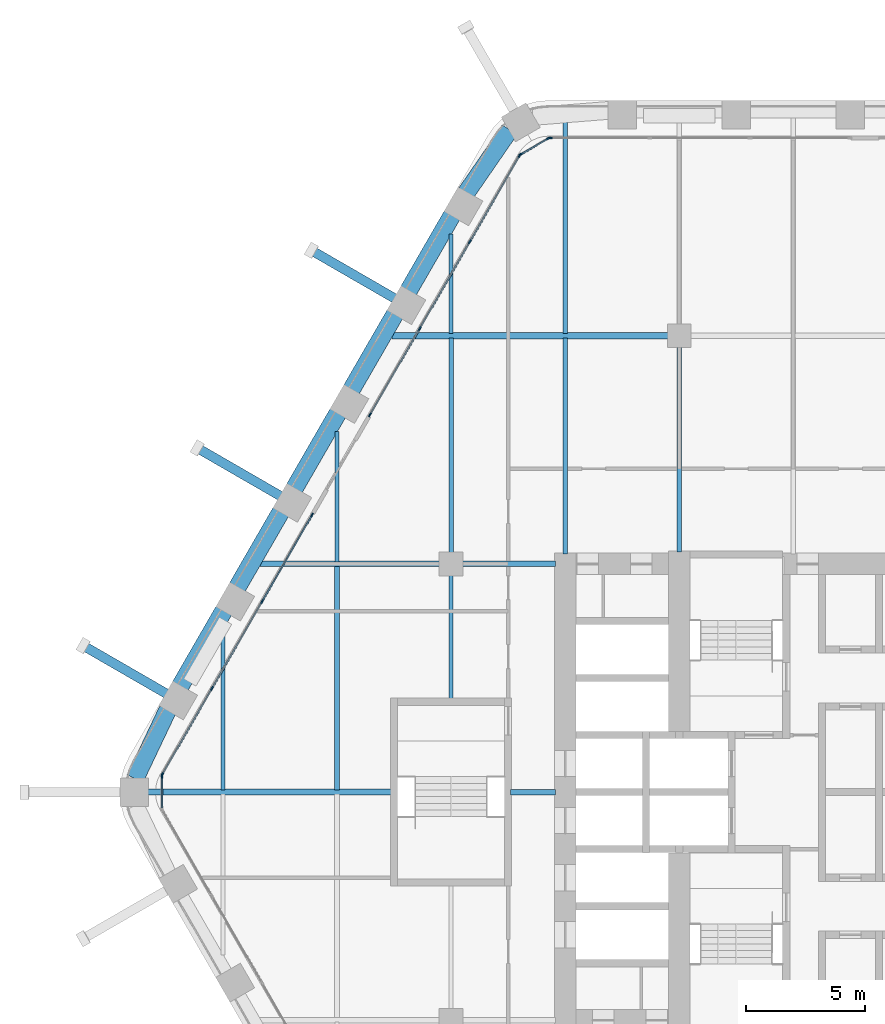
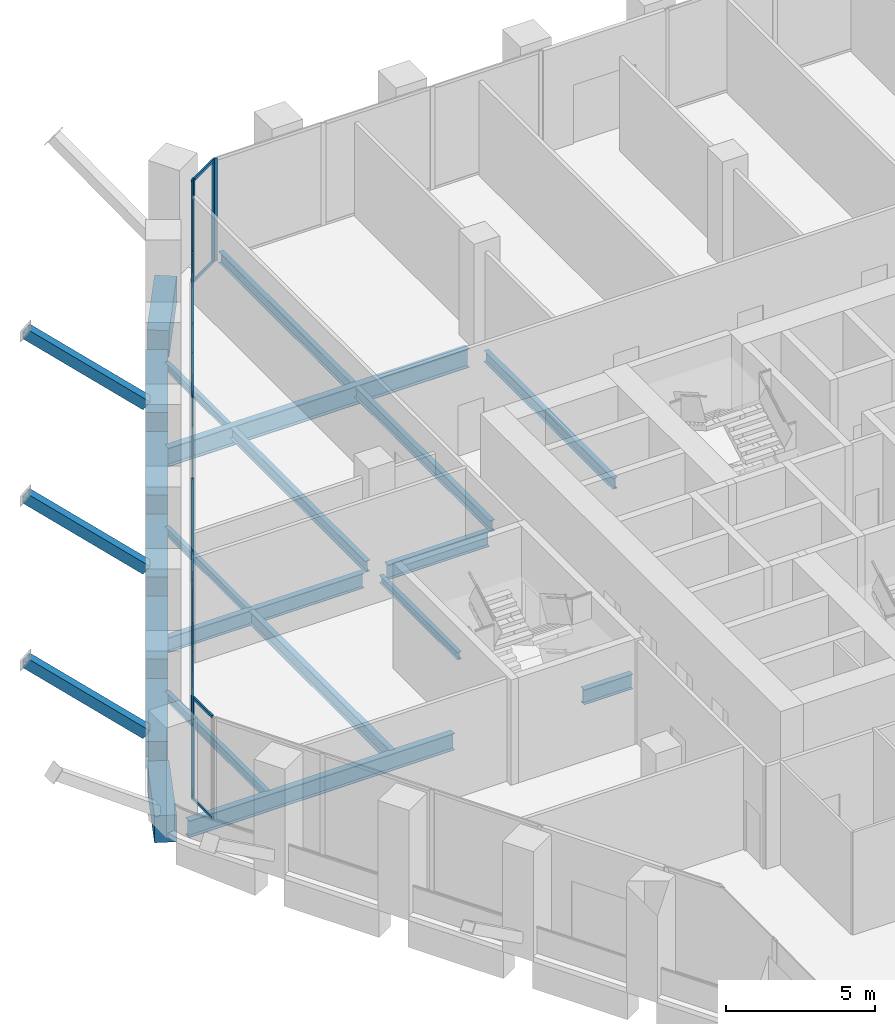
# One storey, part 7 of 27: 31 members, 21 beams, 5 elements without a shape of their own.
"""IFC4 building model written with IfcOpenShell, lengths in metres."""

from ifc_helpers import new_model, si_unit, direction, frame, origin, origin_2d, place, context, subcontext, project, spatial, rectangle, hollow_rectangle, i_section, extrude, material, material_profile, profile_set, type_object, element, aggregate, save


model = new_model("IFC4")

# Units and contexts
model_context = context("Model", 3, precision=1e-05, world=origin(), true_north=direction((0.0, 1.0)))
body_context = subcontext(model_context, "Body", "Model", "MODEL_VIEW")
ifc_project = project(units=[si_unit("LENGTHUNIT", "METRE"), si_unit("AREAUNIT", "SQUARE_METRE"), si_unit("VOLUMEUNIT", "CUBIC_METRE"), si_unit("PLANEANGLEUNIT", "RADIAN"), si_unit("MASSUNIT", "GRAM", prefix="KILO")], contexts=[model_context])

# Site, building, storey
site_placement = place(None, origin())
site = spatial("IfcSite", under=ifc_project, at=site_placement, CompositionType="ELEMENT")
building_placement = place(site_placement, origin())
building = spatial("IfcBuilding", under=site, at=building_placement, Name="Kolab Exchange Tower", CompositionType="ELEMENT")
storey_placement = place(building_placement, frame((0.0, 0.0, 118.39990234375)))
storey = spatial("IfcBuildingStorey", under=building, at=storey_placement, Name="L23", CompositionType="ELEMENT", Elevation=118.39990234375)

# Beams
ifc_material_1 = material(Name="Steel S355", Category="steel")
ifc_material_profile_1 = material_profile(ifc_material_1, i_section(OverallWidth=0.1650390625, OverallDepth=0.31005859375, WebThickness=0.005859375, FlangeThickness=0.009765625, at=origin_2d()), Name="W310X39")
ifc_profile_set_1 = profile_set([ifc_material_profile_1], Name="Steel S355")
beam_type_1 = type_object("IfcBeamType", Name="FLOOR BEAM W310X39", PredefinedType="BEAM", material=ifc_profile_set_1)
beam_1_placement = place(storey_placement, frame((-24.0, 9.674072265625, -0.35498046875), z_axis=(0.0, 1.0, 0.0), x_axis=(-1.0, 0.0, 0.0)))
element("IfcBeam", 1, at=beam_1_placement, inside=storey, type_object=beam_type_1, Name="beam/L23/fr/005", PredefinedType="BEAM", context=body_context, shape_type="SweptSolid", body=[
    extrude(i_section(OverallWidth=0.1650390625, OverallDepth=0.31005859375, WebThickness=0.005859375, FlangeThickness=0.009765625, at=origin_2d()), origin(), (0.0, 0.0, 1.0), 5.49365234375),
])
beam_2_placement = place(storey_placement, frame((-19.199951171875, 3.909912109375, -0.35498046875), z_axis=(0.0, 1.0, 0.0), x_axis=(-1.0, 0.0, 0.0)))
element("IfcBeam", 2, at=beam_2_placement, inside=storey, type_object=beam_type_1, Name="beam/L23/fr/009", PredefinedType="BEAM", context=body_context, shape_type="SweptSolid", body=[
    extrude(i_section(OverallWidth=0.1650390625, OverallDepth=0.31005859375, WebThickness=0.005859375, FlangeThickness=0.009765625, at=origin_2d()), origin(), (0.0, 0.0, 1.0), 5.22998046875),
])
beam_3_placement = place(storey_placement, frame((-19.199951171875, 19.29345703125, -0.35498046875), z_axis=(0.0, 1.0, 0.0), x_axis=(-1.0, 0.0, 0.0)))
element("IfcBeam", 3, at=beam_3_placement, inside=storey, type_object=beam_type_1, Name="beam/L23/fr/011", PredefinedType="BEAM", context=body_context, shape_type="SweptSolid", body=[
    extrude(i_section(OverallWidth=0.1650390625, OverallDepth=0.31005859375, WebThickness=0.005859375, FlangeThickness=0.009765625, at=origin_2d()), origin(), (0.0, 0.0, 1.0), 4.18798828125),
])
ifc_material_profile_2 = material_profile(ifc_material_1, i_section(OverallWidth=0.1708984375, OverallDepth=0.35498046875, WebThickness=0.007080078125, FlangeThickness=0.01171875, at=origin_2d()), Name="W360X51")
ifc_profile_set_2 = profile_set([ifc_material_profile_2], Name="Steel S355")
beam_type_2 = type_object("IfcBeamType", Name="FLOOR BEAM W360X51", PredefinedType="BEAM", material=ifc_profile_set_2)
beam_4_placement = place(storey_placement, frame((-28.800048828125, 0.0869140625, -0.37744140625), z_axis=(0.0, 1.0, 0.0), x_axis=(-1.0, 0.0, 0.0)))
element("IfcBeam", 4, at=beam_4_placement, inside=storey, type_object=beam_type_2, Name="beam/L23/fr/001", PredefinedType="BEAM", context=body_context, shape_type="SweptSolid", body=[
    extrude(i_section(OverallWidth=0.1708984375, OverallDepth=0.35498046875, WebThickness=0.007080078125, FlangeThickness=0.01171875, at=origin_2d()), origin(), (0.0, 0.0, 1.0), 6.766845703125),
])
ifc_material_profile_3 = material_profile(ifc_material_1, i_section(OverallWidth=0.18994140625, OverallDepth=0.45703125, WebThickness=0.009033203125, FlangeThickness=0.014404296875, at=origin_2d()), Name="W460X74")
ifc_profile_set_3 = profile_set([ifc_material_profile_3], Name="Steel S355")
beam_type_3 = type_object("IfcBeamType", Name="FLOOR BEAM W460X74", PredefinedType="BEAM", material=ifc_profile_set_3)
beam_5_placement = place(storey_placement, frame((-19.199951171875, 10.06005859375, -0.428466796875), z_axis=(0.0, 1.0, 0.0), x_axis=(-1.0, 0.0, 0.0)))
element("IfcBeam", 5, at=beam_5_placement, inside=storey, type_object=beam_type_3, Name="beam/L23/fr/010", PredefinedType="BEAM", context=body_context, shape_type="SweptSolid", body=[
    extrude(i_section(OverallWidth=0.18994140625, OverallDepth=0.45703125, WebThickness=0.009033203125, FlangeThickness=0.014404296875, at=origin_2d()), origin(), (0.0, 0.0, 1.0), 9.04638671875),
])
beam_6_placement = place(storey_placement, frame((-14.39990234375, 10.010009765625, -0.428466796875), z_axis=(0.0, 1.0, 0.0), x_axis=(-1.0, 0.0, 0.0)))
element("IfcBeam", 6, at=beam_6_placement, inside=storey, type_object=beam_type_3, Name="beam/L23/fr/014", PredefinedType="BEAM", context=body_context, shape_type="SweptSolid", body=[
    extrude(i_section(OverallWidth=0.18994140625, OverallDepth=0.45703125, WebThickness=0.009033203125, FlangeThickness=0.014404296875, at=origin_2d()), origin(), (0.0, 0.0, 1.0), 9.096435546875),
])
beam_7_placement = place(storey_placement, frame((-14.39990234375, 19.29345703125, -0.428466796875), z_axis=(0.0, 1.0, 0.0), x_axis=(-1.0, 0.0, 0.0)))
element("IfcBeam", 7, at=beam_7_placement, inside=storey, type_object=beam_type_3, Name="beam/L23/fr/015", PredefinedType="BEAM", context=body_context, shape_type="SweptSolid", body=[
    extrude(i_section(OverallWidth=0.18994140625, OverallDepth=0.45703125, WebThickness=0.009033203125, FlangeThickness=0.014404296875, at=origin_2d()), origin(), (0.0, 0.0, 1.0), 8.901123046875),
])
beam_8_placement = place(storey_placement, frame((-9.60009765625, 10.110107421875, -0.428466796875), z_axis=(0.0, 1.0, 0.0), x_axis=(-1.0, 0.0, 0.0)))
element("IfcBeam", 8, at=beam_8_placement, inside=storey, type_object=beam_type_3, Name="beam/L23/fr/018", PredefinedType="BEAM", context=body_context, shape_type="SweptSolid", body=[
    extrude(i_section(OverallWidth=0.18994140625, OverallDepth=0.45703125, WebThickness=0.009033203125, FlangeThickness=0.014404296875, at=origin_2d()), origin(), (0.0, 0.0, 1.0), 8.6298828125),
])
ifc_material_profile_4 = material_profile(ifc_material_1, i_section(OverallWidth=0.208984375, OverallDepth=0.532958984375, WebThickness=0.01025390625, FlangeThickness=0.015625, at=origin_2d()), Name="W530X92")
ifc_profile_set_4 = profile_set([ifc_material_profile_4], Name="Steel S355")
beam_type_4 = type_object("IfcBeamType", Name="FLOOR BEAM W530X92", PredefinedType="BEAM", material=ifc_profile_set_4)
beam_9_placement = place(storey_placement, frame((-24.0, 0.0869140625, -0.46630859375), z_axis=(0.0, 1.0, 0.0), x_axis=(-1.0, 0.0, 0.0)))
element("IfcBeam", 9, at=beam_9_placement, inside=storey, type_object=beam_type_4, Name="beam/L23/fr/004", PredefinedType="BEAM", context=body_context, shape_type="SweptSolid", body=[
    extrude(i_section(OverallWidth=0.208984375, OverallDepth=0.532958984375, WebThickness=0.01025390625, FlangeThickness=0.015625, at=origin_2d()), origin(), (0.0, 0.0, 1.0), 9.43896484375),
])
ifc_material_profile_5 = material_profile(ifc_material_1, i_section(OverallWidth=0.22802734375, OverallDepth=0.60791015625, WebThickness=0.01123046875, FlangeThickness=0.017333984375, at=origin_2d()), Name="W610X113")
ifc_profile_set_5 = profile_set([ifc_material_profile_5], Name="Steel S355")
beam_type_5 = type_object("IfcBeamType", Name="FLOOR GIRDER W610X113", PredefinedType="BEAM", material=ifc_profile_set_5)
beam_10_placement = place(storey_placement, frame((-27.2314453125, 9.60009765625, -0.50390625), z_axis=(1.0, 0.0, 0.0), x_axis=(0.0, 1.0, 0.0)))
element("IfcBeam", 10, at=beam_10_placement, inside=storey, type_object=beam_type_5, Name="beam/L23/gd/002", PredefinedType="BEAM", context=body_context, shape_type="SweptSolid", body=[
    extrude(i_section(OverallWidth=0.22802734375, OverallDepth=0.60791015625, WebThickness=0.01123046875, FlangeThickness=0.017333984375, at=origin_2d()), origin(), (0.0, 0.0, 1.0), 7.571533203125),
])
beam_11_placement = place(storey_placement, frame((-18.739990234375, 9.60009765625, -0.50390625), z_axis=(1.0, 0.0, 0.0), x_axis=(0.0, 1.0, 0.0)))
element("IfcBeam", 11, at=beam_11_placement, inside=storey, type_object=beam_type_5, Name="beam/L23/gd/006", PredefinedType="BEAM", context=body_context, shape_type="SweptSolid", body=[
    extrude(i_section(OverallWidth=0.22802734375, OverallDepth=0.60791015625, WebThickness=0.01123046875, FlangeThickness=0.017333984375, at=origin_2d()), origin(), (0.0, 0.0, 1.0), 3.929931640625),
])
beam_12_placement = place(storey_placement, frame((-16.68994140625, 0.0, -0.50390625), z_axis=(1.0, 0.0, 0.0), x_axis=(0.0, 1.0, 0.0)))
element("IfcBeam", 12, at=beam_12_placement, inside=storey, type_object=beam_type_5, Name="beam/L23/gd/007", PredefinedType="BEAM", context=body_context, shape_type="SweptSolid", body=[
    extrude(i_section(OverallWidth=0.22802734375, OverallDepth=0.60791015625, WebThickness=0.01123046875, FlangeThickness=0.017333984375, at=origin_2d()), origin(), (0.0, 0.0, 1.0), 1.8798828125),
])
ifc_material_profile_6 = material_profile(ifc_material_1, i_section(OverallWidth=0.25390625, OverallDepth=0.68408203125, WebThickness=0.012451171875, FlangeThickness=0.018798828125, at=origin_2d()), Name="W690X140")
ifc_profile_set_6 = profile_set([ifc_material_profile_6], Name="Steel S355")
beam_type_6 = type_object("IfcBeamType", Name="FLOOR GIRDER W690X140", PredefinedType="BEAM", material=ifc_profile_set_6)
beam_13_placement = place(storey_placement, frame((-31.975830078125, 0.0, -0.5419921875), z_axis=(1.0, 0.0, 0.0), x_axis=(0.0, 1.0, 0.0)))
element("IfcBeam", 13, at=beam_13_placement, inside=storey, type_object=beam_type_6, Name="beam/L23/gd/000", PredefinedType="BEAM", context=body_context, shape_type="SweptSolid", body=[
    extrude(i_section(OverallWidth=0.25390625, OverallDepth=0.68408203125, WebThickness=0.012451171875, FlangeThickness=0.018798828125, at=origin_2d()), origin(), (0.0, 0.0, 1.0), 10.265869140625),
])
ifc_material_profile_7 = material_profile(ifc_material_1, i_section(OverallWidth=0.26708984375, OverallDepth=0.761962890625, WebThickness=0.014404296875, FlangeThickness=0.021484375, at=origin_2d()), Name="W760X173")
ifc_profile_set_7 = profile_set([ifc_material_profile_7], Name="Steel S355")
beam_type_7 = type_object("IfcBeamType", Name="FLOOR GIRDER W760X173", PredefinedType="BEAM", material=ifc_profile_set_7)
beam_14_placement = place(storey_placement, frame((-21.688720703125, 19.199951171875, -0.580810546875), z_axis=(1.0, 0.0, 0.0), x_axis=(0.0, 1.0, 0.0)))
element("IfcBeam", 14, at=beam_14_placement, inside=storey, type_object=beam_type_7, Name="beam/L23/gd/004", PredefinedType="BEAM", context=body_context, shape_type="SweptSolid", body=[
    extrude(i_section(OverallWidth=0.26708984375, OverallDepth=0.761962890625, WebThickness=0.014404296875, FlangeThickness=0.021484375, at=origin_2d()), origin(), (0.0, 0.0, 1.0), 11.628662109375),
])

# Members
ifc_material_profile_8 = material_profile(ifc_material_1, hollow_rectangle(XDim=0.39990234375, YDim=0.39990234375, WallThickness=0.02001953125, at=origin_2d()), Name="HSS400X400X20")
ifc_profile_set_8 = profile_set([ifc_material_profile_8], Name="Steel S355")
member_type_1 = type_object("IfcMemberType", Name="LEDGE STRUT HSS400X400X20", PredefinedType="STRUT", material=ifc_profile_set_8)
member_1_placement = place(storey_placement, frame((-31.165283203125, 4.136962890625, 0.60009765625), z_axis=(-0.702055669831, 0.40533170136, 0.585511783255), x_axis=(-0.499999695987, -0.866025579307, 0.0)))
element("IfcMember", 15, at=member_1_placement, inside=storey, type_object=member_type_1, Name="mem/L23/ledge/strut-5", PredefinedType="STRUT", context=body_context, shape_type="SweptSolid", body=[
    extrude(hollow_rectangle(XDim=0.39990234375, YDim=0.39990234375, WallThickness=0.02001953125, at=origin_2d()), origin(), (0.0, 0.0, 1.0), 4.983642578125),
])
member_2_placement = place(storey_placement, frame((-26.365478515625, 12.45068359375, 0.60009765625), z_axis=(-0.702030825555, 0.405345642055, 0.585531920938), x_axis=(-0.500025864173, -0.866010470582, 0.0)))
element("IfcMember", 16, at=member_2_placement, inside=storey, type_object=member_type_1, Name="mem/L23/ledge/strut-6", PredefinedType="STRUT", context=body_context, shape_type="SweptSolid", body=[
    extrude(hollow_rectangle(XDim=0.39990234375, YDim=0.39990234375, WallThickness=0.02001953125, at=origin_2d()), origin(), (0.0, 0.0, 1.0), 4.9833984375),
])
member_3_placement = place(storey_placement, frame((-21.5654296875, 20.7646484375, 0.60009765625), z_axis=(-0.702055669831, 0.40533170136, 0.585511783255), x_axis=(-0.499999695987, -0.866025579307, 0.0)))
element("IfcMember", 17, at=member_3_placement, inside=storey, type_object=member_type_1, Name="mem/L23/ledge/strut-7", PredefinedType="STRUT", context=body_context, shape_type="SweptSolid", body=[
    extrude(hollow_rectangle(XDim=0.39990234375, YDim=0.39990234375, WallThickness=0.02001953125, at=origin_2d()), origin(), (0.0, 0.0, 1.0), 4.983642578125),
])

# Beams
ifc_material_2 = material(Name="Concrete C70/85", Category="concrete")
ifc_material_profile_9 = material_profile(ifc_material_2, rectangle(XDim=0.75, YDim=1.10009765625, at=origin_2d()), Name="RC750X1100")
ifc_profile_set_9 = profile_set([ifc_material_profile_9], Name="Concrete C70/85")
beam_type_8 = type_object("IfcBeamType", Name="SPANDREL BEAM 750X1100 C70/85", PredefinedType="BEAM", material=ifc_profile_set_9)
beam_15_placement = place(storey_placement, frame((-32.492919921875, 0.56396484375, -0.75), z_axis=(0.429041292193, 0.903284877319, 0.0), x_axis=(-0.903284877319, 0.429041292193, 0.0)))
element("IfcBeam", 18, at=beam_15_placement, inside=storey, type_object=beam_type_8, Name="beam/L23/sp/F6-01", PredefinedType="BEAM", context=body_context, shape_type="SweptSolid", body=[
    extrude(rectangle(XDim=0.75, YDim=1.10009765625, at=origin_2d()), origin(), (0.0, 0.0, 1.0), 3.208251953125),
])
for number, where, z_axis, x_axis, name in (
    (19, (-30.59521484375, 4.454345703125, -0.75), (0.500013413428, 0.866017659399, 0.0), (-0.866017659399, 0.500013413428, 0.0), "beam/L23/sp/F6-02"),
    (20, (-28.1953125, 8.611328125, -0.75), (0.500013413428, 0.866017659399, 0.0), (-0.866017659399, 0.500013413428, 0.0), "beam/L23/sp/F6-03"),
):
    element("IfcBeam", number, at=place(storey_placement, frame(where, z_axis=z_axis, x_axis=x_axis)), inside=storey, type_object=beam_type_8, Name=name, PredefinedType="BEAM", context=body_context, shape_type="SweptSolid", body=[
        extrude(rectangle(XDim=0.75, YDim=1.10009765625, at=origin_2d()), origin(), (0.0, 0.0, 1.0), 3.68017578125),
    ])
beam_16_placement = place(storey_placement, frame((-25.795166015625, 12.768310546875, -0.75), z_axis=(0.499963655964, 0.866046386007, 0.0), x_axis=(-0.866046386007, 0.499963655964, 0.0)))
element("IfcBeam", 21, at=beam_16_placement, inside=storey, type_object=beam_type_8, Name="beam/L23/sp/F6-04", PredefinedType="BEAM", context=body_context, shape_type="SweptSolid", body=[
    extrude(rectangle(XDim=0.75, YDim=1.10009765625, at=origin_2d()), origin(), (0.0, 0.0, 1.0), 3.679931640625),
])
for number, where, z_axis, x_axis, name in (
    (22, (-23.395263671875, 16.925048828125, -0.75), (0.500013413428, 0.866017659399, 0.0), (-0.866017659399, 0.500013413428, 0.0), "beam/L23/sp/F6-05"),
    (23, (-20.995361328125, 21.08203125, -0.75), (0.500013413428, 0.866017659399, 0.0), (-0.866017659399, 0.500013413428, 0.0), "beam/L23/sp/F6-06"),
):
    element("IfcBeam", number, at=place(storey_placement, frame(where, z_axis=z_axis, x_axis=x_axis)), inside=storey, type_object=beam_type_8, Name=name, PredefinedType="BEAM", context=body_context, shape_type="SweptSolid", body=[
        extrude(rectangle(XDim=0.75, YDim=1.10009765625, at=origin_2d()), origin(), (0.0, 0.0, 1.0), 3.68017578125),
    ])
beam_17_placement = place(storey_placement, frame((-18.55615234375, 25.216552734375, -0.75), z_axis=(0.567661826262, 0.823261836237, 0.0), x_axis=(-0.823261836237, 0.567661826262, 0.0)))
element("IfcBeam", 24, at=beam_17_placement, inside=storey, type_object=beam_type_8, Name="beam/L23/sp/F6-07", PredefinedType="BEAM", context=body_context, shape_type="SweptSolid", body=[
    extrude(rectangle(XDim=0.75, YDim=1.10009765625, at=origin_2d()), origin(), (0.0, 0.0, 1.0), 3.20849609375),
])

# Curtain wall, member
ifc_material_3 = material(Name="Aluminium EN AW-6063 T6", Category="aluminium")
curtain_wall_type = type_object("IfcCurtainWallType", Name="UNITISED LOWER MID ZONE CURTAIN WALL", PredefinedType="NOTDEFINED", material=ifc_material_3)
curtain_wall_1_placement = place(storey_placement, origin())
curtain_wall_1 = element("IfcCurtainWall", 25, at=curtain_wall_1_placement, inside=storey, type_object=curtain_wall_type, Name="cw/L23/F1-1", PredefinedType="NOTDEFINED")
ifc_material_profile_10 = material_profile(ifc_material_3, rectangle(XDim=0.06005859375, YDim=0.179931640625, at=origin_2d()), Name="RECT 60X180")
ifc_profile_set_10 = profile_set([ifc_material_profile_10], Name="Aluminium EN AW-6063 T6")
member_type_2 = type_object("IfcMemberType", Name="UNITISED LOWER MID ZONE MULLION 60 X 180", PredefinedType="MULLION", material=ifc_profile_set_10)
member_4_placement = place(storey_placement, frame((-15.037841796875, 27.5185546875, 0.0), z_axis=(0.0, 0.0, 1.0), x_axis=(0.0, 1.0, 0.0)))
member_4 = element("IfcMember", 26, at=member_4_placement, type_object=member_type_2, Name="CW2 mullion 1", PredefinedType="MULLION", context=body_context, shape_type="SweptSolid", body=[
    extrude(rectangle(XDim=0.06005859375, YDim=0.179931640625, at=origin_2d()), origin(), (0.0, 0.0, 1.0), 4.2001953125),
])
aggregate(curtain_wall_1, [member_4])

# Curtain wall, members
curtain_wall_2_placement = place(storey_placement, origin())
curtain_wall_2 = element("IfcCurtainWall", 27, at=curtain_wall_2_placement, inside=storey, type_object=curtain_wall_type, Name="cw/L23/F6-1", PredefinedType="NOTDEFINED")
member_5_placement = place(storey_placement, frame((-31.3505859375, 0.736083984375, 0.0), z_axis=(0.0, 0.0, 1.0), x_axis=(-0.866025427826, 0.499999958358, 0.0)))
member_5 = element("IfcMember", 28, at=member_5_placement, type_object=member_type_2, Name="CW2 mullion 1", PredefinedType="MULLION", context=body_context, shape_type="SweptSolid", body=[
    extrude(rectangle(XDim=0.06005859375, YDim=0.179931640625, at=origin_2d()), origin(), (0.0, 0.0, 1.0), 4.2001953125),
])
member_6_placement = place(storey_placement, frame((-29.25439453125, 4.366943359375, 0.0), z_axis=(0.0, 0.0, 1.0), x_axis=(-0.866025427826, 0.499999958358, 0.0)))
member_6 = element("IfcMember", 29, at=member_6_placement, type_object=member_type_2, Name="CW2 mullion 2", PredefinedType="MULLION", context=body_context, shape_type="SweptSolid", body=[
    extrude(rectangle(XDim=0.06005859375, YDim=0.179931640625, at=origin_2d()), origin(), (0.0, 0.0, 1.0), 4.2001953125),
])
member_7_placement = place(storey_placement, frame((-27.14306640625, 8.02392578125, 0.0), z_axis=(0.0, 0.0, 1.0), x_axis=(-0.866025427826, 0.499999958358, 0.0)))
member_7 = element("IfcMember", 30, at=member_7_placement, type_object=member_type_2, Name="CW2 mullion 3", PredefinedType="MULLION", context=body_context, shape_type="SweptSolid", body=[
    extrude(rectangle(XDim=0.06005859375, YDim=0.179931640625, at=origin_2d()), origin(), (0.0, 0.0, 1.0), 4.2001953125),
])
member_8_placement = place(storey_placement, frame((-25.046630859375, 11.65478515625, 0.0), z_axis=(0.0, 0.0, 1.0), x_axis=(-0.866025427826, 0.499999958358, 0.0)))
member_8 = element("IfcMember", 31, at=member_8_placement, type_object=member_type_2, Name="CW2 mullion 4", PredefinedType="MULLION", context=body_context, shape_type="SweptSolid", body=[
    extrude(rectangle(XDim=0.06005859375, YDim=0.179931640625, at=origin_2d()), origin(), (0.0, 0.0, 1.0), 4.2001953125),
])

curtain_wall_3_placement = place(storey_placement, origin())
curtain_wall_3 = element("IfcCurtainWall", 32, at=curtain_wall_3_placement, inside=storey, type_object=curtain_wall_type, Name="cw/L23/F6-2", PredefinedType="NOTDEFINED")
member_9_placement = place(storey_placement, frame((-22.61669921875, 15.86376953125, 0.0), z_axis=(0.0, 0.0, 1.0), x_axis=(-0.866025393644, 0.500000017564, 0.0)))
member_9 = element("IfcMember", 33, at=member_9_placement, type_object=member_type_2, Name="CW2 mullion 1", PredefinedType="MULLION", context=body_context, shape_type="SweptSolid", body=[
    extrude(rectangle(XDim=0.06005859375, YDim=0.179931640625, at=origin_2d()), origin(), (0.0, 0.0, 1.0), 4.2001953125),
])
member_10_placement = place(storey_placement, frame((-20.520263671875, 19.49462890625, 0.0), z_axis=(0.0, 0.0, 1.0), x_axis=(-0.866025393644, 0.500000017564, 0.0)))
member_10 = element("IfcMember", 34, at=member_10_placement, type_object=member_type_2, Name="CW2 mullion 2", PredefinedType="MULLION", context=body_context, shape_type="SweptSolid", body=[
    extrude(rectangle(XDim=0.06005859375, YDim=0.179931640625, at=origin_2d()), origin(), (0.0, 0.0, 1.0), 4.2001953125),
])
member_11_placement = place(storey_placement, frame((-18.408935546875, 23.151611328125, 0.0), z_axis=(0.0, 0.0, 1.0), x_axis=(-0.866025393644, 0.500000017564, 0.0)))
member_11 = element("IfcMember", 35, at=member_11_placement, type_object=member_type_2, Name="CW2 mullion 3", PredefinedType="MULLION", context=body_context, shape_type="SweptSolid", body=[
    extrude(rectangle(XDim=0.06005859375, YDim=0.179931640625, at=origin_2d()), origin(), (0.0, 0.0, 1.0), 4.2001953125),
])
member_12_placement = place(storey_placement, frame((-16.312744140625, 26.782470703125, 0.0), z_axis=(0.0, 0.0, 1.0), x_axis=(-0.866025393644, 0.500000017564, 0.0)))
member_12 = element("IfcMember", 36, at=member_12_placement, type_object=member_type_2, Name="CW2 mullion 4", PredefinedType="MULLION", context=body_context, shape_type="SweptSolid", body=[
    extrude(rectangle(XDim=0.06005859375, YDim=0.179931640625, at=origin_2d()), origin(), (0.0, 0.0, 1.0), 4.2001953125),
])

# Curtain wall, member
curtain_wall_4_placement = place(storey_placement, origin())
curtain_wall_4 = element("IfcCurtainWall", 37, at=curtain_wall_4_placement, inside=storey, type_object=curtain_wall_type, Name="cw/L23/F5F6-corner", PredefinedType="NOTDEFINED")
member_13_placement = place(storey_placement, frame((-31.36572265625, 0.679931640625, 0.0), z_axis=(0.0, 0.0, 1.0), x_axis=(-1.0, 0.0, 0.0)))
member_13 = element("IfcMember", 38, at=member_13_placement, type_object=member_type_2, Name="CW2 mullion 2", PredefinedType="MULLION", context=body_context, shape_type="SweptSolid", body=[
    extrude(rectangle(XDim=0.06005859375, YDim=0.179931640625, at=origin_2d()), origin(), (0.0, 0.0, 1.0), 4.2001953125),
])

# Curtain wall, members
curtain_wall_5_placement = place(storey_placement, origin())
curtain_wall_5 = element("IfcCurtainWall", 39, at=curtain_wall_5_placement, inside=storey, type_object=curtain_wall_type, Name="cw/L23/F6F1-corner", PredefinedType="NOTDEFINED")
member_14_placement = place(storey_placement, frame((-16.271728515625, 26.823486328125, 0.0), z_axis=(0.0, 0.0, 1.0), x_axis=(-0.50000002237, 0.866025390869, 0.0)))
member_14 = element("IfcMember", 40, at=member_14_placement, type_object=member_type_2, Name="CW2 mullion 1", PredefinedType="MULLION", context=body_context, shape_type="SweptSolid", body=[
    extrude(rectangle(XDim=0.06005859375, YDim=0.179931640625, at=origin_2d()), origin(), (0.0, 0.0, 1.0), 4.2001953125),
])
member_15_placement = place(storey_placement, frame((-15.093994140625, 27.50341796875, 0.0), z_axis=(0.0, 0.0, 1.0), x_axis=(-0.50000002237, 0.866025390869, 0.0)))
member_15 = element("IfcMember", 41, at=member_15_placement, type_object=member_type_2, Name="CW2 mullion 2", PredefinedType="MULLION", context=body_context, shape_type="SweptSolid", body=[
    extrude(rectangle(XDim=0.06005859375, YDim=0.179931640625, at=origin_2d()), origin(), (0.0, 0.0, 1.0), 4.2001953125),
])

# Member
ifc_material_profile_11 = material_profile(ifc_material_3, rectangle(XDim=0.06005859375, YDim=0.1201171875, at=origin_2d()), Name="RECT 60X120")
ifc_profile_set_11 = profile_set([ifc_material_profile_11], Name="Aluminium EN AW-6063 T6")
member_type_3 = type_object("IfcMemberType", Name="UNITISED LOWER MID ZONE TRANSOM 60 X 120", PredefinedType="USERDEFINED", material=ifc_profile_set_11)
member_16_placement = place(storey_placement, frame((-31.335693359375, 0.761962890625, 0.030029296875), z_axis=(0.500027577057, 0.866009481578, 0.0), x_axis=(-0.866009481578, 0.500027577057, 0.0)))
member_16 = element("IfcMember", 42, at=member_16_placement, type_object=member_type_3, Name="CW2 transom 1.1", ObjectType="TRANSOM", PredefinedType="USERDEFINED", context=body_context, shape_type="SweptSolid", body=[
    extrude(rectangle(XDim=0.06005859375, YDim=0.1201171875, at=origin_2d()), origin(), (0.0, 0.0, 1.0), 4.132568359375),
])

member_17_placement = place(storey_placement, frame((-31.335693359375, 0.761962890625, 4.170166015625), z_axis=(0.500027577057, 0.866009481578, 0.0), x_axis=(-0.866009481578, 0.500027577057, 0.0)))
member_17 = element("IfcMember", 43, at=member_17_placement, type_object=member_type_3, Name="CW2 transom 1.2", ObjectType="TRANSOM", PredefinedType="USERDEFINED", context=body_context, shape_type="SweptSolid", body=[
    extrude(rectangle(XDim=0.06005859375, YDim=0.1201171875, at=origin_2d()), origin(), (0.0, 0.0, 1.0), 4.132568359375),
])

member_18_placement = place(storey_placement, frame((-29.2392578125, 4.392822265625, 0.030029296875), z_axis=(0.49999322259, 0.866029316688, 0.0), x_axis=(-0.866029316688, 0.49999322259, 0.0)))
member_18 = element("IfcMember", 44, at=member_18_placement, type_object=member_type_3, Name="CW2 transom 2.1", ObjectType="TRANSOM", PredefinedType="USERDEFINED", context=body_context, shape_type="SweptSolid", body=[
    extrude(rectangle(XDim=0.06005859375, YDim=0.1201171875, at=origin_2d()), origin(), (0.0, 0.0, 1.0), 4.16259765625),
])

member_19_placement = place(storey_placement, frame((-29.2392578125, 4.392822265625, 4.170166015625), z_axis=(0.49999322259, 0.866029316688, 0.0), x_axis=(-0.866029316688, 0.49999322259, 0.0)))
member_19 = element("IfcMember", 45, at=member_19_placement, type_object=member_type_3, Name="CW2 transom 2.2", ObjectType="TRANSOM", PredefinedType="USERDEFINED", context=body_context, shape_type="SweptSolid", body=[
    extrude(rectangle(XDim=0.06005859375, YDim=0.1201171875, at=origin_2d()), origin(), (0.0, 0.0, 1.0), 4.16259765625),
])

member_20_placement = place(storey_placement, frame((-27.1279296875, 8.0498046875, 0.030029296875), z_axis=(0.499957688808, 0.866049830784, 0.0), x_axis=(-0.866049830784, 0.499957688808, 0.0)))
member_20 = element("IfcMember", 46, at=member_20_placement, type_object=member_type_3, Name="CW2 transom 3.1", ObjectType="TRANSOM", PredefinedType="USERDEFINED", context=body_context, shape_type="SweptSolid", body=[
    extrude(rectangle(XDim=0.06005859375, YDim=0.1201171875, at=origin_2d()), origin(), (0.0, 0.0, 1.0), 4.132568359375),
])

member_21_placement = place(storey_placement, frame((-27.1279296875, 8.0498046875, 4.170166015625), z_axis=(0.499957688808, 0.866049830784, 0.0), x_axis=(-0.866049830784, 0.499957688808, 0.0)))
member_21 = element("IfcMember", 47, at=member_21_placement, type_object=member_type_3, Name="CW2 transom 3.2", ObjectType="TRANSOM", PredefinedType="USERDEFINED", context=body_context, shape_type="SweptSolid", body=[
    extrude(rectangle(XDim=0.06005859375, YDim=0.1201171875, at=origin_2d()), origin(), (0.0, 0.0, 1.0), 4.132568359375),
])

aggregate(curtain_wall_2, [member_5, member_6, member_7, member_8, member_16, member_17, member_18, member_19, member_20, member_21])

member_22_placement = place(storey_placement, frame((-22.6015625, 15.8896484375, 0.030029296875), z_axis=(0.499957688808, 0.866049830784, 0.0), x_axis=(-0.866049830784, 0.499957688808, 0.0)))
member_22 = element("IfcMember", 48, at=member_22_placement, type_object=member_type_3, Name="CW2 transom 1.1", ObjectType="TRANSOM", PredefinedType="USERDEFINED", context=body_context, shape_type="SweptSolid", body=[
    extrude(rectangle(XDim=0.06005859375, YDim=0.1201171875, at=origin_2d()), origin(), (0.0, 0.0, 1.0), 4.132568359375),
])

member_23_placement = place(storey_placement, frame((-22.6015625, 15.8896484375, 4.170166015625), z_axis=(0.499957688808, 0.866049830784, 0.0), x_axis=(-0.866049830784, 0.499957688808, 0.0)))
member_23 = element("IfcMember", 49, at=member_23_placement, type_object=member_type_3, Name="CW2 transom 1.2", ObjectType="TRANSOM", PredefinedType="USERDEFINED", context=body_context, shape_type="SweptSolid", body=[
    extrude(rectangle(XDim=0.06005859375, YDim=0.1201171875, at=origin_2d()), origin(), (0.0, 0.0, 1.0), 4.132568359375),
])

member_24_placement = place(storey_placement, frame((-20.50537109375, 19.5205078125, 0.030029296875), z_axis=(0.49999322259, 0.866029316688, 0.0), x_axis=(-0.866029316688, 0.49999322259, 0.0)))
member_24 = element("IfcMember", 50, at=member_24_placement, type_object=member_type_3, Name="CW2 transom 2.1", ObjectType="TRANSOM", PredefinedType="USERDEFINED", context=body_context, shape_type="SweptSolid", body=[
    extrude(rectangle(XDim=0.06005859375, YDim=0.1201171875, at=origin_2d()), origin(), (0.0, 0.0, 1.0), 4.16259765625),
])

member_25_placement = place(storey_placement, frame((-20.50537109375, 19.5205078125, 4.170166015625), z_axis=(0.49999322259, 0.866029316688, 0.0), x_axis=(-0.866029316688, 0.49999322259, 0.0)))
member_25 = element("IfcMember", 51, at=member_25_placement, type_object=member_type_3, Name="CW2 transom 2.2", ObjectType="TRANSOM", PredefinedType="USERDEFINED", context=body_context, shape_type="SweptSolid", body=[
    extrude(rectangle(XDim=0.06005859375, YDim=0.1201171875, at=origin_2d()), origin(), (0.0, 0.0, 1.0), 4.16259765625),
])

member_26_placement = place(storey_placement, frame((-18.39404296875, 23.177490234375, 0.030029296875), z_axis=(0.500001996123, 0.866024251319, 0.0), x_axis=(-0.866024251319, 0.500001996123, 0.0)))
member_26 = element("IfcMember", 52, at=member_26_placement, type_object=member_type_3, Name="CW2 transom 3.1", ObjectType="TRANSOM", PredefinedType="USERDEFINED", context=body_context, shape_type="SweptSolid", body=[
    extrude(rectangle(XDim=0.06005859375, YDim=0.1201171875, at=origin_2d()), origin(), (0.0, 0.0, 1.0), 4.1328125),
])

member_27_placement = place(storey_placement, frame((-18.39404296875, 23.177490234375, 4.170166015625), z_axis=(0.500001996123, 0.866024251319, 0.0), x_axis=(-0.866024251319, 0.500001996123, 0.0)))
member_27 = element("IfcMember", 53, at=member_27_placement, type_object=member_type_3, Name="CW2 transom 3.2", ObjectType="TRANSOM", PredefinedType="USERDEFINED", context=body_context, shape_type="SweptSolid", body=[
    extrude(rectangle(XDim=0.06005859375, YDim=0.1201171875, at=origin_2d()), origin(), (0.0, 0.0, 1.0), 4.1328125),
])

aggregate(curtain_wall_3, [member_9, member_10, member_11, member_12, member_22, member_23, member_24, member_25, member_26, member_27])

member_28_placement = place(storey_placement, frame((-31.36572265625, -0.64990234375, 0.030029296875), z_axis=(0.0, 1.0, 0.0), x_axis=(-1.0, 0.0, 0.0)))
member_28 = element("IfcMember", 54, at=member_28_placement, type_object=member_type_3, Name="CW2 transom 1.1", ObjectType="TRANSOM", PredefinedType="USERDEFINED", context=body_context, shape_type="SweptSolid", body=[
    extrude(rectangle(XDim=0.06005859375, YDim=0.1201171875, at=origin_2d()), origin(), (0.0, 0.0, 1.0), 1.2998046875),
])

member_29_placement = place(storey_placement, frame((-31.36572265625, -0.64990234375, 4.170166015625), z_axis=(0.0, 1.0, 0.0), x_axis=(-1.0, 0.0, 0.0)))
member_29 = element("IfcMember", 55, at=member_29_placement, type_object=member_type_3, Name="CW2 transom 1.2", ObjectType="TRANSOM", PredefinedType="USERDEFINED", context=body_context, shape_type="SweptSolid", body=[
    extrude(rectangle(XDim=0.06005859375, YDim=0.1201171875, at=origin_2d()), origin(), (0.0, 0.0, 1.0), 1.2998046875),
])

aggregate(curtain_wall_4, [member_13, member_28, member_29])

member_30_placement = place(storey_placement, frame((-16.245849609375, 26.83837890625, 0.030029296875), z_axis=(0.866004217611, 0.500036693733, 0.0), x_axis=(-0.500036693733, 0.866004217611, 0.0)))
member_30 = element("IfcMember", 56, at=member_30_placement, type_object=member_type_3, Name="CW2 transom 1.1", ObjectType="TRANSOM", PredefinedType="USERDEFINED", context=body_context, shape_type="SweptSolid", body=[
    extrude(rectangle(XDim=0.06005859375, YDim=0.1201171875, at=origin_2d()), origin(), (0.0, 0.0, 1.0), 1.30029296875),
])

member_31_placement = place(storey_placement, frame((-16.245849609375, 26.83837890625, 4.170166015625), z_axis=(0.866004217611, 0.500036693733, 0.0), x_axis=(-0.500036693733, 0.866004217611, 0.0)))
member_31 = element("IfcMember", 57, at=member_31_placement, type_object=member_type_3, Name="CW2 transom 1.2", ObjectType="TRANSOM", PredefinedType="USERDEFINED", context=body_context, shape_type="SweptSolid", body=[
    extrude(rectangle(XDim=0.06005859375, YDim=0.1201171875, at=origin_2d()), origin(), (0.0, 0.0, 1.0), 1.30029296875),
])

aggregate(curtain_wall_5, [member_14, member_15, member_30, member_31])

save(model, "model.ifc")
